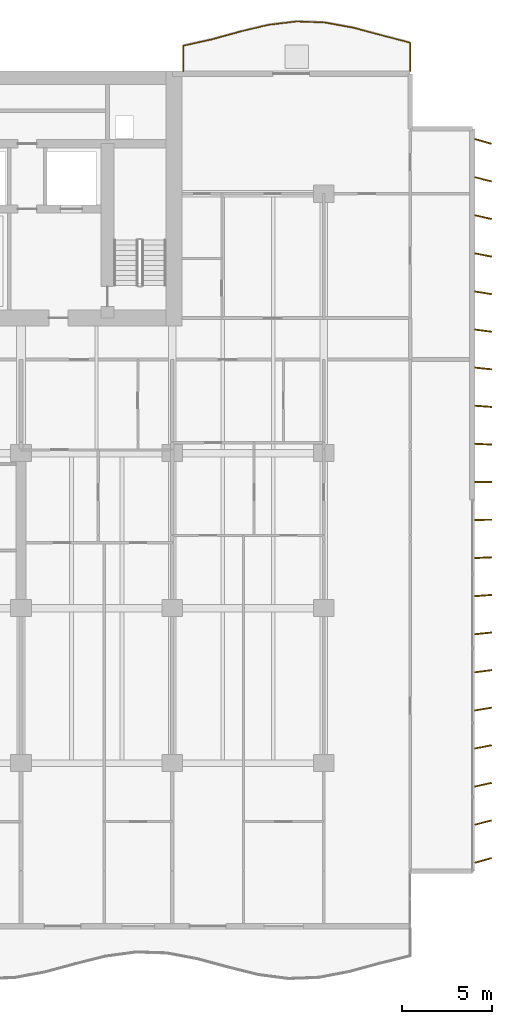
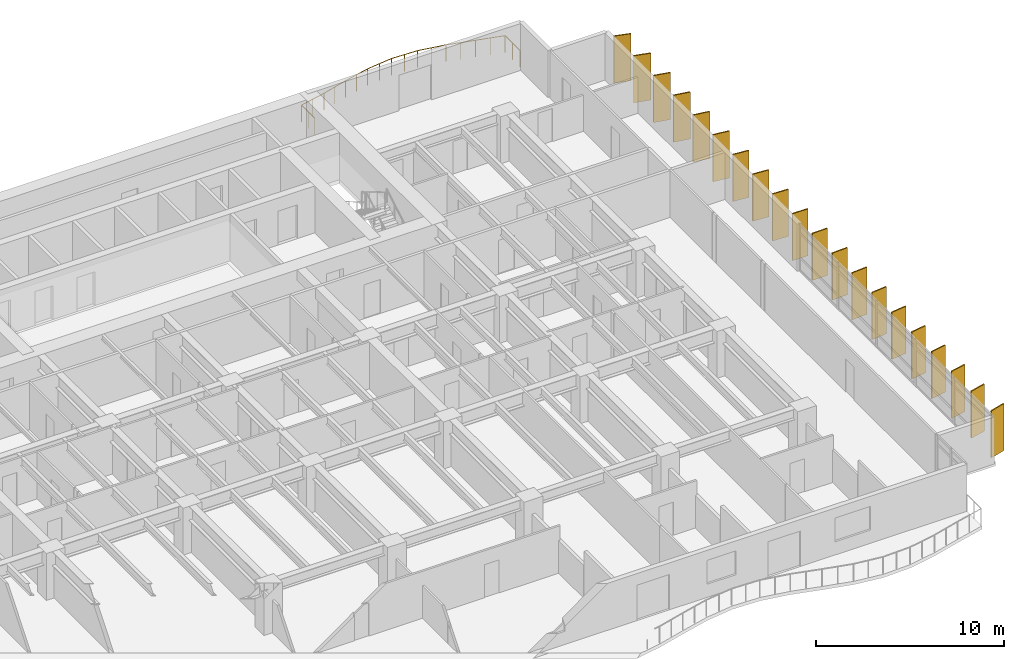
# One storey, part 17 of 17: 20 shading devices, 1 railing.
"""IFC4 building model written with IfcOpenShell, lengths in metres."""

from ifc_helpers import new_model, si_unit, direction, frame, origin, origin_2d, place, context, subcontext, project, spatial, rectangle, circle, extrude, material, material_profile, profile_set, type_object, element, save


model = new_model("IFC4")

# Units and contexts
model_context = context("Model", 3, precision=1e-05, world=origin(), true_north=direction((0.0, 1.0)))
body_context = subcontext(model_context, "Body", "Model", "MODEL_VIEW")
ifc_project = project(units=[si_unit("LENGTHUNIT", "METRE"), si_unit("AREAUNIT", "SQUARE_METRE"), si_unit("VOLUMEUNIT", "CUBIC_METRE"), si_unit("PLANEANGLEUNIT", "RADIAN"), si_unit("MASSUNIT", "GRAM", prefix="KILO")], contexts=[model_context])

# Site, building, storey
site_placement = place(None, origin())
site = spatial("IfcSite", under=ifc_project, at=site_placement, CompositionType="ELEMENT")
building_placement = place(site_placement, origin())
building = spatial("IfcBuilding", under=site, at=building_placement, Name="Caelmar Bay Residences", CompositionType="ELEMENT")
storey_placement = place(building_placement, frame((0.0, 0.0, 49.800048828125)))
storey = spatial("IfcBuildingStorey", under=building, at=storey_placement, Name="L12", CompositionType="ELEMENT", Elevation=49.800048828125)

# Railing
ifc_material_1 = material(Name="Anodised bronze handrail with laminated hurricane glass infill", Category="glass")
railing_type = type_object("IfcRailingType", Name="RL-BAL-1100", PredefinedType="BALUSTRADE", material=ifc_material_1)
railing_placement = place(storey_placement, frame((72.699951171875, 50.60009765625, 0.0)))
element("IfcRailing", 1, at=railing_placement, inside=storey, type_object=railing_type, Name="L12 north_east Balcony Balustrade", PredefinedType="BALUSTRADE", context=body_context, shape_type="SweptSolid", body=[
    extrude(circle(Radius=0.02392578125, at=origin_2d()), frame((0.0, 0.0, 1.076171875), z_axis=(0.0, 1.0, 0.0), x_axis=(-1.0, 0.0, 0.0)), (0.0, 0.0, 1.0), 1.5791015625),
    extrude(circle(Radius=0.02392578125, at=origin_2d()), frame((0.0, 1.5791015625, 1.076171875), z_axis=(-0.96753918199, 0.252721054356, 0.0), x_axis=(-0.252721054356, -0.96753918199, 0.0)), (0.0, 0.0, 1.0), 1.627685546875),
    extrude(circle(Radius=0.02392578125, at=origin_2d()), frame((-1.574951171875, 1.990478515625, 1.076171875), z_axis=(-0.966020859721, 0.258464114692, 0.0), x_axis=(-0.258464114692, -0.966020859721, 0.0)), (0.0, 0.0, 1.0), 1.63037109375),
    extrude(circle(Radius=0.02392578125, at=origin_2d()), frame((-3.14990234375, 2.411865234375, 1.076171875), z_axis=(-0.983570930926, 0.180522086842, 0.0), x_axis=(-0.180522086842, -0.983570930926, 0.0)), (0.0, 0.0, 1.0), 1.601318359375),
    extrude(circle(Radius=0.02392578125, at=origin_2d()), frame((-4.724853515625, 2.700927734375, 1.076171875), z_axis=(-0.999279814953, 0.03794537425, 0.0), x_axis=(-0.03794537425, -0.999279814953, 0.0)), (0.0, 0.0, 1.0), 1.576416015625),
    extrude(circle(Radius=0.02392578125, at=origin_2d()), frame((-6.300048828125, 2.7607421875, 1.076171875), z_axis=(-0.992787719874, -0.119885542363, 0.0), x_axis=(0.119885542363, -0.992787719874, 0.0)), (0.0, 0.0, 1.0), 1.58642578125),
    extrude(circle(Radius=0.02392578125, at=origin_2d()), frame((-7.875, 2.570556640625, 1.076171875), z_axis=(-0.972736601003, -0.231912710021, 0.0), x_axis=(0.231912710021, -0.972736601003, 0.0)), (0.0, 0.0, 1.0), 1.619140625),
    extrude(circle(Radius=0.02392578125, at=origin_2d()), frame((-9.449951171875, 2.195068359375, 1.076171875), z_axis=(-0.963938442099, -0.266125308538, 0.0), x_axis=(0.266125308538, -0.963938442099, 0.0)), (0.0, 0.0, 1.0), 1.6337890625),
    extrude(circle(Radius=0.02392578125, at=origin_2d()), frame((-11.02490234375, 1.76025390625, 1.076171875), z_axis=(-0.976556074066, -0.215263174287, 0.0), x_axis=(0.215263174287, -0.976556074066, 0.0)), (0.0, 0.0, 1.0), 1.61279296875),
    extrude(circle(Radius=0.02392578125, at=origin_2d()), frame((-12.599853515625, 1.4130859375, 1.076171875), z_axis=(0.0, -1.0, 0.0), x_axis=(1.0, 0.0, 0.0)), (0.0, 0.0, 1.0), 1.4130859375),
    extrude(circle(Radius=0.02099609375, at=origin_2d()), origin(), (0.0, 0.0, 1.0), 1.052001953125),
    extrude(circle(Radius=0.02099609375, at=origin_2d()), frame((0.0, 0.78955078125, 0.0)), (0.0, 0.0, 1.0), 1.052001953125),
    extrude(circle(Radius=0.02099609375, at=origin_2d()), frame((0.0, 1.5791015625, 0.0)), (0.0, 0.0, 1.0), 1.052001953125),
    extrude(circle(Radius=0.02099609375, at=origin_2d()), frame((-0.78759765625, 1.78466796875, 0.0)), (0.0, 0.0, 1.0), 1.052001953125),
    extrude(circle(Radius=0.02099609375, at=origin_2d()), frame((-1.574951171875, 1.990478515625, 0.0)), (0.0, 0.0, 1.0), 1.052001953125),
    extrude(circle(Radius=0.02099609375, at=origin_2d()), frame((-2.3623046875, 2.201171875, 0.0)), (0.0, 0.0, 1.0), 1.052001953125),
    extrude(circle(Radius=0.02099609375, at=origin_2d()), frame((-3.14990234375, 2.411865234375, 0.0)), (0.0, 0.0, 1.0), 1.052001953125),
    extrude(circle(Radius=0.02099609375, at=origin_2d()), frame((-3.9375, 2.556396484375, 0.0)), (0.0, 0.0, 1.0), 1.052001953125),
    extrude(circle(Radius=0.02099609375, at=origin_2d()), frame((-4.724853515625, 2.700927734375, 0.0)), (0.0, 0.0, 1.0), 1.052001953125),
    extrude(circle(Radius=0.02099609375, at=origin_2d()), frame((-5.512451171875, 2.73095703125, 0.0)), (0.0, 0.0, 1.0), 1.052001953125),
    extrude(circle(Radius=0.02099609375, at=origin_2d()), frame((-6.300048828125, 2.7607421875, 0.0)), (0.0, 0.0, 1.0), 1.052001953125),
    extrude(circle(Radius=0.02099609375, at=origin_2d()), frame((-7.08740234375, 2.66552734375, 0.0)), (0.0, 0.0, 1.0), 1.052001953125),
    extrude(circle(Radius=0.02099609375, at=origin_2d()), frame((-7.875, 2.570556640625, 0.0)), (0.0, 0.0, 1.0), 1.052001953125),
    extrude(circle(Radius=0.02099609375, at=origin_2d()), frame((-8.66259765625, 2.3828125, 0.0)), (0.0, 0.0, 1.0), 1.052001953125),
    extrude(circle(Radius=0.02099609375, at=origin_2d()), frame((-9.449951171875, 2.195068359375, 0.0)), (0.0, 0.0, 1.0), 1.052001953125),
    extrude(circle(Radius=0.02099609375, at=origin_2d()), frame((-10.2373046875, 1.9775390625, 0.0)), (0.0, 0.0, 1.0), 1.052001953125),
    extrude(circle(Radius=0.02099609375, at=origin_2d()), frame((-11.02490234375, 1.76025390625, 0.0)), (0.0, 0.0, 1.0), 1.052001953125),
    extrude(circle(Radius=0.02099609375, at=origin_2d()), frame((-11.8125, 1.586669921875, 0.0)), (0.0, 0.0, 1.0), 1.052001953125),
    extrude(circle(Radius=0.02099609375, at=origin_2d()), frame((-12.599853515625, 1.4130859375, 0.0)), (0.0, 0.0, 1.0), 1.052001953125),
    extrude(circle(Radius=0.02099609375, at=origin_2d()), frame((-12.599853515625, 0.70654296875, 0.0)), (0.0, 0.0, 1.0), 1.052001953125),
    extrude(circle(Radius=0.02099609375, at=origin_2d()), frame((-12.599853515625, 0.0, 0.0)), (0.0, 0.0, 1.0), 1.052001953125),
])

# Shading devices
ifc_material_2 = material(Name="Anodised architectural bronze aluminium 6063-T6", Category="aluminium")
ifc_material_profile = material_profile(ifc_material_2, rectangle(XDim=0.074951171875, YDim=0.949951171875, at=origin_2d()), Name="BRONZE-FIN-75X950")
ifc_profile_set = profile_set([ifc_material_profile], Name="Anodised architectural bronze aluminium 6063-T6")
shading_device_type = type_object("IfcShadingDeviceType", Name="SHD-FIN-950", PredefinedType="USERDEFINED", material=ifc_profile_set)
for number, where, z_axis, x_axis, name in (
    (2, (76.75, 6.800048828125, 0.0), (0.0, 0.0, 1.0), (-0.275637355817, 0.961261695938, 0.0), "L12 East Bronze Solar Fin 1"),
    (3, (76.75, 8.89990234375, 0.0), (0.0, 0.0, 1.0), (-0.247337247968, 0.968929453452, 0.0), "L12 East Bronze Solar Fin 2"),
    (4, (76.75, 11.0, 0.0), (0.0, 0.0, 1.0), (-0.218654200292, 0.975802408633, 0.0), "L12 East Bronze Solar Fin 3"),
    (5, (76.75, 13.10009765625, 0.0), (0.0, 0.0, 1.0), (-0.189952291512, 0.981793321911, 0.0), "L12 East Bronze Solar Fin 4"),
    (6, (76.75, 15.199951171875, 0.0), (0.0, 0.0, 1.0), (-0.160914826518, 0.986968296657, 0.0), "L12 East Bronze Solar Fin 5"),
    (7, (76.75, 17.300048828125, 0.0), (0.0, 0.0, 1.0), (-0.131910382711, 0.991261646052, 0.0), "L12 East Bronze Solar Fin 6"),
    (8, (76.75, 19.39990234375, 0.0), (0.0, 0.0, 1.0), (-0.10261892683, 0.994720742649, 0.0), "L12 East Bronze Solar Fin 7"),
    (9, (76.75, 21.5, 0.0), (0.0, 0.0, 1.0), (-0.073412260224, 0.997301679558, 0.0), "L12 East Bronze Solar Fin 8"),
    (10, (76.75, 23.60009765625, 0.0), (0.0, 0.0, 1.0), (-0.044142481788, 0.999025245578, 0.0), "L12 East Bronze Solar Fin 9"),
    (11, (76.75, 25.699951171875, 0.0), (0.0, 0.0, 1.0), (-0.01466024053, 0.999892532899, 0.0), "L12 East Bronze Solar Fin 10"),
    (12, (76.75, 27.800048828125, 0.0), (0.0, 0.0, 1.0), (0.01466024053, 0.999892532899, 0.0), "L12 East Bronze Solar Fin 11"),
    (13, (76.75, 29.89990234375, 0.0), (0.0, 0.0, 1.0), (0.044142481788, 0.999025245578, 0.0), "L12 East Bronze Solar Fin 12"),
    (14, (76.75, 32.0, 0.0), (0.0, 0.0, 1.0), (0.073412260224, 0.997301679558, 0.0), "L12 East Bronze Solar Fin 13"),
    (15, (76.75, 34.10009765625, 0.0), (0.0, 0.0, 1.0), (0.10261892683, 0.994720742649, 0.0), "L12 East Bronze Solar Fin 14"),
    (16, (76.75, 36.199951171875, 0.0), (0.0, 0.0, 1.0), (0.131910382711, 0.991261646052, 0.0), "L12 East Bronze Solar Fin 15"),
    (17, (76.75, 38.300048828125, 0.0), (0.0, 0.0, 1.0), (0.160914826518, 0.986968296657, 0.0), "L12 East Bronze Solar Fin 16"),
    (18, (76.75, 40.39990234375, 0.0), (0.0, 0.0, 1.0), (0.189952291512, 0.981793321911, 0.0), "L12 East Bronze Solar Fin 17"),
    (19, (76.75, 42.5, 0.0), (0.0, 0.0, 1.0), (0.218654200292, 0.975802408633, 0.0), "L12 East Bronze Solar Fin 18"),
    (20, (76.75, 44.60009765625, 0.0), (0.0, 0.0, 1.0), (0.247337247968, 0.968929453452, 0.0), "L12 East Bronze Solar Fin 19"),
    (21, (76.75, 46.699951171875, 0.0), (0.0, 0.0, 1.0), (0.275637355817, 0.961261695938, 0.0), "L12 East Bronze Solar Fin 20"),
):
    element("IfcShadingDevice", number, at=place(storey_placement, frame(where, z_axis=z_axis, x_axis=x_axis)), inside=storey, type_object=shading_device_type, Name=name, ObjectType="FIN", PredefinedType="USERDEFINED", context=body_context, shape_type="SweptSolid", body=[
        extrude(rectangle(XDim=0.074951171875, YDim=0.949951171875, at=origin_2d()), origin(), (0.0, 0.0, 1.0), 3.050048828125),
    ])

save(model, "model.ifc")
